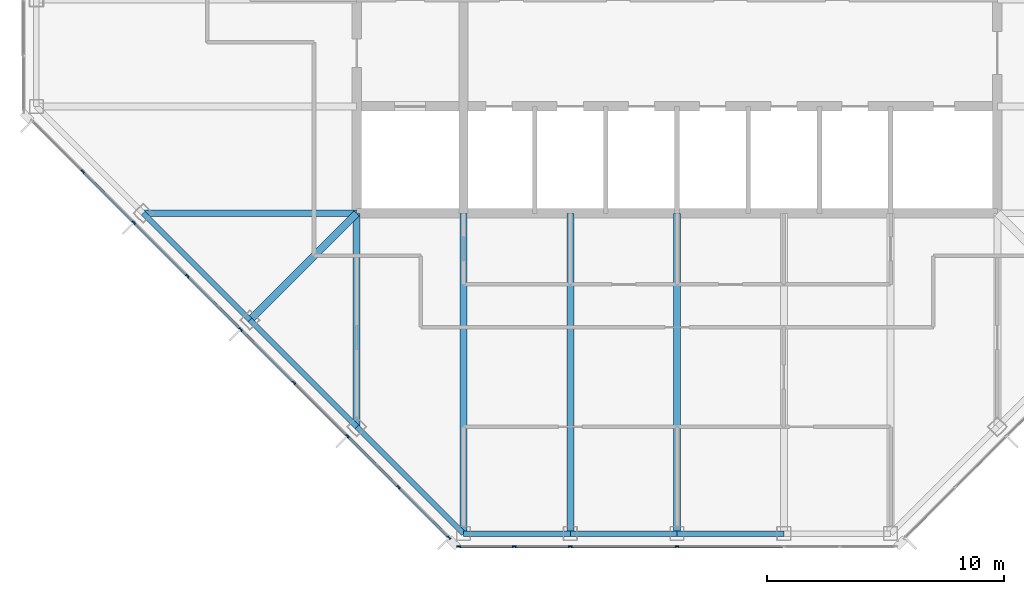
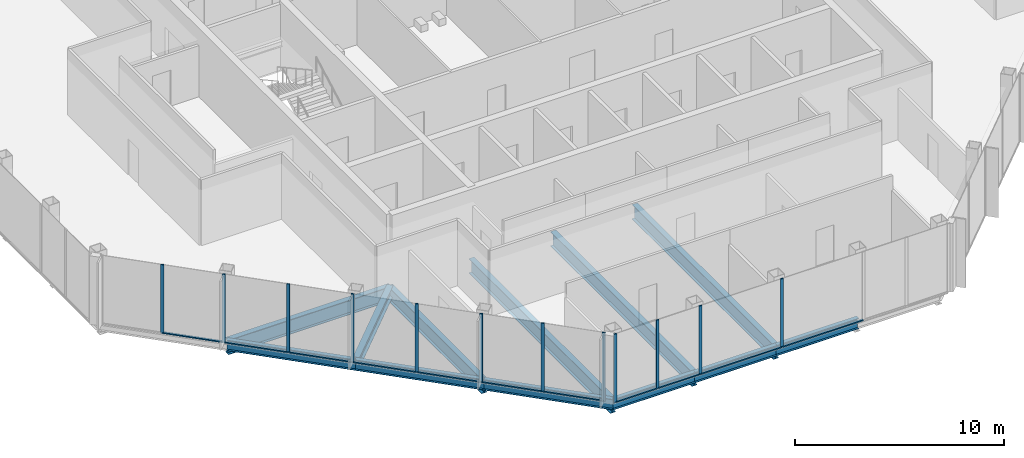
# One storey, part 2 of 14: 23 members, 12 beams, 2 elements without a shape of their own.
"""IFC4 building model written with IfcOpenShell, lengths in metres."""

from ifc_helpers import new_model, si_unit, direction, frame, origin, origin_2d, place, context, subcontext, project, spatial, rectangle, i_section, extrude, material, material_profile, profile_set, type_object, element, aggregate, save


model = new_model("IFC4")

# Units and contexts
model_context = context("Model", 3, precision=1e-05, world=origin(), true_north=direction((0.0, 1.0)))
body_context = subcontext(model_context, "Body", "Model", "MODEL_VIEW")
ifc_project = project(units=[si_unit("LENGTHUNIT", "METRE"), si_unit("AREAUNIT", "SQUARE_METRE"), si_unit("VOLUMEUNIT", "CUBIC_METRE"), si_unit("PLANEANGLEUNIT", "RADIAN"), si_unit("MASSUNIT", "GRAM", prefix="KILO")], contexts=[model_context])

# Site, building, storey
site_placement = place(None, origin())
site = spatial("IfcSite", under=ifc_project, at=site_placement, CompositionType="ELEMENT")
building_placement = place(site_placement, origin())
building = spatial("IfcBuilding", under=site, at=building_placement, Name="Corais Broadcast Tower", CompositionType="ELEMENT")
storey_placement = place(building_placement, frame((0.0, 0.0, 278.60009765625)))
storey = spatial("IfcBuildingStorey", under=building, at=storey_placement, Name="L65", CompositionType="ELEMENT", Elevation=278.60009765625)

# Beams
ifc_material_1 = material(Name="Steel ASTM A572 Grade 50", Category="steel")
ifc_material_profile_1 = material_profile(ifc_material_1, i_section(OverallWidth=0.323974609375, OverallDepth=0.611083984375, WebThickness=0.0126953125, FlangeThickness=0.01904296875, at=origin_2d()), Name="W610x155")
ifc_profile_set_1 = profile_set([ifc_material_profile_1], Name="Steel ASTM A572 Grade 50")
beam_type_1 = type_object("IfcBeamType", Name="Corner diagonal W610x155", PredefinedType="BEAM", material=ifc_profile_set_1)
beam_1_placement = place(storey_placement, frame((9.0, 9.0, -0.465576171875), z_axis=(0.707106781187, 0.707106781187, 0.0), x_axis=(-0.707106781187, 0.707106781187, 0.0)))
element("IfcBeam", 1, at=beam_1_placement, inside=storey, type_object=beam_type_1, Name="B6 C/5 to D/6", PredefinedType="BEAM", context=body_context, shape_type="SweptSolid", body=[
    extrude(i_section(OverallWidth=0.323974609375, OverallDepth=0.611083984375, WebThickness=0.0126953125, FlangeThickness=0.01904296875, at=origin_2d()), origin(), (0.0, 0.0, 1.0), 6.364013671875),
])
ifc_material_2 = material(Name="Steel ASTM A572 Grade 50", Category="steel")
ifc_material_profile_2 = material_profile(ifc_material_2, i_section(OverallWidth=0.2939453125, OverallDepth=0.85107421875, WebThickness=0.01611328125, FlangeThickness=0.02685546875, at=origin_2d()), Name="W840x226")
ifc_profile_set_2 = profile_set([ifc_material_profile_2], Name="Steel ASTM A572 Grade 50")
beam_type_2 = type_object("IfcBeamType", Name="Floor beam W840x226", PredefinedType="BEAM", material=ifc_profile_set_2)
beam_2_placement = place(storey_placement, frame((13.5, 4.5, -0.585693359375), z_axis=(0.0, 1.0, 0.0), x_axis=(-1.0, 0.0, 0.0)))
element("IfcBeam", 2, at=beam_2_placement, inside=storey, type_object=beam_type_2, Name="B1 B/6 to D/6", PredefinedType="BEAM", context=body_context, shape_type="SweptSolid", body=[
    extrude(i_section(OverallWidth=0.2939453125, OverallDepth=0.85107421875, WebThickness=0.01611328125, FlangeThickness=0.02685546875, at=origin_2d()), origin(), (0.0, 0.0, 1.0), 9.0),
])
for number, where, z_axis, x_axis, name in (
    (3, (18.0, 0.0, -0.585693359375), (0.0, 1.0, 0.0), (-1.0, 0.0, 0.0), "B1 A/7 to D/7"),
    (4, (22.5, 0.0, -0.585693359375), (0.0, 1.0, 0.0), (-1.0, 0.0, 0.0), "B1 A/8 to D/8"),
    (5, (27.0, 0.0, -0.585693359375), (0.0, 1.0, 0.0), (-1.0, 0.0, 0.0), "B1 A/9 to D/9"),
):
    element("IfcBeam", number, at=place(storey_placement, frame(where, z_axis=z_axis, x_axis=x_axis)), inside=storey, type_object=beam_type_2, Name=name, PredefinedType="BEAM", context=body_context, shape_type="SweptSolid", body=[
        extrude(i_section(OverallWidth=0.2939453125, OverallDepth=0.85107421875, WebThickness=0.01611328125, FlangeThickness=0.02685546875, at=origin_2d()), origin(), (0.0, 0.0, 1.0), 13.5),
    ])
beam_3_placement = place(storey_placement, frame((4.5, 13.5, -0.585693359375), z_axis=(1.0, 0.0, 0.0), x_axis=(0.0, 1.0, 0.0)))
element("IfcBeam", 6, at=beam_3_placement, inside=storey, type_object=beam_type_2, Name="B1 D/4 to D/6", PredefinedType="BEAM", context=body_context, shape_type="SweptSolid", body=[
    extrude(i_section(OverallWidth=0.2939453125, OverallDepth=0.85107421875, WebThickness=0.01611328125, FlangeThickness=0.02685546875, at=origin_2d()), origin(), (0.0, 0.0, 1.0), 9.0),
])

# Curtain wall, members
ifc_material_3 = material(Name="Aluminium and glass", Category="aluminium")
curtain_wall_type = type_object("IfcCurtainWallType", Name="Unitised fritted curtain wall CW3", PredefinedType="NOTDEFINED", material=ifc_material_3)
curtain_wall_1_placement = place(storey_placement, origin())
curtain_wall_1 = element("IfcCurtainWall", 7, at=curtain_wall_1_placement, inside=storey, type_object=curtain_wall_type, Name="CW3 curtain wall L65 1", PredefinedType="NOTDEFINED")
ifc_material_4 = material(Name="Aluminium 6063-T6", Category="aluminium")
ifc_material_profile_3 = material_profile(ifc_material_4, rectangle(XDim=0.06494140625, YDim=0.159912109375, at=origin_2d()), Name="Mullion CW3 65x160")
ifc_profile_set_3 = profile_set([ifc_material_profile_3], Name="Aluminium 6063-T6")
member_type_1 = type_object("IfcMemberType", Name="Mullion CW3 65x160", PredefinedType="MULLION", material=ifc_profile_set_3)
member_1_placement = place(storey_placement, frame((17.3955078125, -0.17333984375, 0.0), z_axis=(0.0, 0.0, 1.0), x_axis=(-0.707106781187, -0.707106781187, 0.0)))
member_1 = element("IfcMember", 8, at=member_1_placement, type_object=member_type_1, Name="CW3 mullion 1", PredefinedType="MULLION", context=body_context, shape_type="SweptSolid", body=[
    extrude(rectangle(XDim=0.06494140625, YDim=0.159912109375, at=origin_2d()), origin(), (0.0, 0.0, 1.0), 4.0),
])
member_2_placement = place(storey_placement, frame((15.264892578125, 1.957275390625, 0.0), z_axis=(0.0, 0.0, 1.0), x_axis=(-0.707106781187, -0.707106781187, 0.0)))
member_2 = element("IfcMember", 9, at=member_2_placement, type_object=member_type_1, Name="CW3 mullion 2", PredefinedType="MULLION", context=body_context, shape_type="SweptSolid", body=[
    extrude(rectangle(XDim=0.06494140625, YDim=0.159912109375, at=origin_2d()), origin(), (0.0, 0.0, 1.0), 4.0),
])
member_3_placement = place(storey_placement, frame((13.111083984375, 4.111083984375, 0.0), z_axis=(0.0, 0.0, 1.0), x_axis=(-0.707106781187, -0.707106781187, 0.0)))
member_3 = element("IfcMember", 10, at=member_3_placement, type_object=member_type_1, Name="CW3 mullion 3", PredefinedType="MULLION", context=body_context, shape_type="SweptSolid", body=[
    extrude(rectangle(XDim=0.06494140625, YDim=0.159912109375, at=origin_2d()), origin(), (0.0, 0.0, 1.0), 4.0),
])
member_4_placement = place(storey_placement, frame((10.861083984375, 6.361083984375, 0.0), z_axis=(0.0, 0.0, 1.0), x_axis=(-0.707106781187, -0.707106781187, 0.0)))
member_4 = element("IfcMember", 11, at=member_4_placement, type_object=member_type_1, Name="CW3 mullion 4", PredefinedType="MULLION", context=body_context, shape_type="SweptSolid", body=[
    extrude(rectangle(XDim=0.06494140625, YDim=0.159912109375, at=origin_2d()), origin(), (0.0, 0.0, 1.0), 4.0),
])
member_5_placement = place(storey_placement, frame((8.611083984375, 8.611083984375, 0.0), z_axis=(0.0, 0.0, 1.0), x_axis=(-0.707106781187, -0.707106781187, 0.0)))
member_5 = element("IfcMember", 12, at=member_5_placement, type_object=member_type_1, Name="CW3 mullion 5", PredefinedType="MULLION", context=body_context, shape_type="SweptSolid", body=[
    extrude(rectangle(XDim=0.06494140625, YDim=0.159912109375, at=origin_2d()), origin(), (0.0, 0.0, 1.0), 4.0),
])
member_6_placement = place(storey_placement, frame((6.361083984375, 10.861083984375, 0.0), z_axis=(0.0, 0.0, 1.0), x_axis=(-0.707106781187, -0.707106781187, 0.0)))
member_6 = element("IfcMember", 13, at=member_6_placement, type_object=member_type_1, Name="CW3 mullion 6", PredefinedType="MULLION", context=body_context, shape_type="SweptSolid", body=[
    extrude(rectangle(XDim=0.06494140625, YDim=0.159912109375, at=origin_2d()), origin(), (0.0, 0.0, 1.0), 4.0),
])
member_7_placement = place(storey_placement, frame((4.111083984375, 13.111083984375, 0.0), z_axis=(0.0, 0.0, 1.0), x_axis=(-0.707106781187, -0.707106781187, 0.0)))
member_7 = element("IfcMember", 14, at=member_7_placement, type_object=member_type_1, Name="CW3 mullion 7", PredefinedType="MULLION", context=body_context, shape_type="SweptSolid", body=[
    extrude(rectangle(XDim=0.06494140625, YDim=0.159912109375, at=origin_2d()), origin(), (0.0, 0.0, 1.0), 4.0),
])
member_8_placement = place(storey_placement, frame((1.957275390625, 15.264892578125, 0.0), z_axis=(0.0, 0.0, 1.0), x_axis=(-0.707106781187, -0.707106781187, 0.0)))
member_8 = element("IfcMember", 15, at=member_8_placement, type_object=member_type_1, Name="CW3 mullion 8", PredefinedType="MULLION", context=body_context, shape_type="SweptSolid", body=[
    extrude(rectangle(XDim=0.06494140625, YDim=0.159912109375, at=origin_2d()), origin(), (0.0, 0.0, 1.0), 4.0),
])

curtain_wall_2_placement = place(storey_placement, origin())
curtain_wall_2 = element("IfcCurtainWall", 16, at=curtain_wall_2_placement, inside=storey, type_object=curtain_wall_type, Name="CW3 curtain wall L65 8", PredefinedType="NOTDEFINED")
member_9_placement = place(storey_placement, frame((27.0, -0.550048828125, 0.0), z_axis=(0.0, 0.0, 1.0), x_axis=(0.0, -1.0, 0.0)))
member_9 = element("IfcMember", 17, at=member_9_placement, type_object=member_type_1, Name="CW3 mullion 4", PredefinedType="MULLION", context=body_context, shape_type="SweptSolid", body=[
    extrude(rectangle(XDim=0.06494140625, YDim=0.159912109375, at=origin_2d()), origin(), (0.0, 0.0, 1.0), 4.0),
])
member_10_placement = place(storey_placement, frame((22.5, -0.550048828125, 0.0), z_axis=(0.0, 0.0, 1.0), x_axis=(0.0, -1.0, 0.0)))
member_10 = element("IfcMember", 18, at=member_10_placement, type_object=member_type_1, Name="CW3 mullion 5", PredefinedType="MULLION", context=body_context, shape_type="SweptSolid", body=[
    extrude(rectangle(XDim=0.06494140625, YDim=0.159912109375, at=origin_2d()), origin(), (0.0, 0.0, 1.0), 4.0),
])
member_11_placement = place(storey_placement, frame((20.135986328125, -0.550048828125, 0.0), z_axis=(0.0, 0.0, 1.0), x_axis=(0.0, -1.0, 0.0)))
member_11 = element("IfcMember", 19, at=member_11_placement, type_object=member_type_1, Name="CW3 mullion 6", PredefinedType="MULLION", context=body_context, shape_type="SweptSolid", body=[
    extrude(rectangle(XDim=0.06494140625, YDim=0.159912109375, at=origin_2d()), origin(), (0.0, 0.0, 1.0), 4.0),
])
member_12_placement = place(storey_placement, frame((17.8046875, -0.550048828125, 0.0), z_axis=(0.0, 0.0, 1.0), x_axis=(0.0, -1.0, 0.0)))
member_12 = element("IfcMember", 20, at=member_12_placement, type_object=member_type_1, Name="CW3 mullion 7", PredefinedType="MULLION", context=body_context, shape_type="SweptSolid", body=[
    extrude(rectangle(XDim=0.06494140625, YDim=0.159912109375, at=origin_2d()), origin(), (0.0, 0.0, 1.0), 4.0),
])

# Beams
ifc_material_5 = material(Name="Steel ASTM A572 Grade 50", Category="steel")
ifc_material_profile_4 = material_profile(ifc_material_5, i_section(OverallWidth=0.22998046875, OverallDepth=0.616943359375, WebThickness=0.01318359375, FlangeThickness=0.022216796875, at=origin_2d()), Name="W610x140")
ifc_profile_set_4 = profile_set([ifc_material_profile_4], Name="Steel ASTM A572 Grade 50")
beam_type_3 = type_object("IfcBeamType", Name="Spandrel W610x140", PredefinedType="BEAM", material=ifc_profile_set_4)
beam_4_placement = place(storey_placement, frame((13.5, 4.5, -0.468505859375), z_axis=(0.707106781187, -0.707106781187, 0.0), x_axis=(0.707106781187, 0.707106781187, 0.0)))
element("IfcBeam", 21, at=beam_4_placement, inside=storey, type_object=beam_type_3, Name="SB3 B/6 to A/7", PredefinedType="BEAM", context=body_context, shape_type="SweptSolid", body=[
    extrude(i_section(OverallWidth=0.22998046875, OverallDepth=0.616943359375, WebThickness=0.01318359375, FlangeThickness=0.022216796875, at=origin_2d()), origin(), (0.0, 0.0, 1.0), 6.364013671875),
])
for number, where, z_axis, x_axis, name in (
    (22, (18.0, 0.0, -0.468505859375), (1.0, 0.0, 0.0), (0.0, 1.0, 0.0), "SB3 A/7 to A/8"),
    (23, (22.5, 0.0, -0.468505859375), (1.0, 0.0, 0.0), (0.0, 1.0, 0.0), "SB3 A/8 to A/9"),
    (24, (27.0, 0.0, -0.468505859375), (1.0, 0.0, 0.0), (0.0, 1.0, 0.0), "SB3 A/9 to A/10"),
):
    element("IfcBeam", number, at=place(storey_placement, frame(where, z_axis=z_axis, x_axis=x_axis)), inside=storey, type_object=beam_type_3, Name=name, PredefinedType="BEAM", context=body_context, shape_type="SweptSolid", body=[
        extrude(i_section(OverallWidth=0.22998046875, OverallDepth=0.616943359375, WebThickness=0.01318359375, FlangeThickness=0.022216796875, at=origin_2d()), origin(), (0.0, 0.0, 1.0), 4.5),
    ])
for number, where, z_axis, x_axis, name in (
    (25, (4.5, 13.5, -0.468505859375), (0.707106781187, -0.707106781187, 0.0), (0.707106781187, 0.707106781187, 0.0), "SB3 D/4 to C/5"),
    (26, (9.0, 9.0, -0.468505859375), (0.707106781187, -0.707106781187, 0.0), (0.707106781187, 0.707106781187, 0.0), "SB3 C/5 to B/6"),
):
    element("IfcBeam", number, at=place(storey_placement, frame(where, z_axis=z_axis, x_axis=x_axis)), inside=storey, type_object=beam_type_3, Name=name, PredefinedType="BEAM", context=body_context, shape_type="SweptSolid", body=[
        extrude(i_section(OverallWidth=0.22998046875, OverallDepth=0.616943359375, WebThickness=0.01318359375, FlangeThickness=0.022216796875, at=origin_2d()), origin(), (0.0, 0.0, 1.0), 6.364013671875),
    ])

# Member
ifc_material_6 = material(Name="Aluminium 6063-T6", Category="aluminium")
ifc_material_profile_5 = material_profile(ifc_material_6, rectangle(XDim=0.1201171875, YDim=0.06494140625, at=origin_2d()), Name="Transom CW3 65x120")
ifc_profile_set_5 = profile_set([ifc_material_profile_5], Name="Aluminium 6063-T6")
member_type_2 = type_object("IfcMemberType", Name="Transom CW3 65x120", PredefinedType="USERDEFINED", material=ifc_profile_set_5)
member_13_placement = place(storey_placement, frame((17.37255859375, -0.150390625, 0.032470703125), z_axis=(-0.707106781187, 0.707106781187, 0.0), x_axis=(-0.707106781187, -0.707106781187, 0.0)))
member_13 = element("IfcMember", 27, at=member_13_placement, type_object=member_type_2, Name="CW3 transom 1.1", ObjectType="TRANSOM", PredefinedType="USERDEFINED", context=body_context, shape_type="SweptSolid", body=[
    extrude(rectangle(XDim=0.1201171875, YDim=0.06494140625, at=origin_2d()), origin(), (0.0, 0.0, 1.0), 2.9482421875),
])

member_14_placement = place(storey_placement, frame((15.241943359375, 1.980224609375, 0.032470703125), z_axis=(-0.707106781187, 0.707106781187, 0.0), x_axis=(-0.707106781187, -0.707106781187, 0.0)))
member_14 = element("IfcMember", 28, at=member_14_placement, type_object=member_type_2, Name="CW3 transom 2.1", ObjectType="TRANSOM", PredefinedType="USERDEFINED", context=body_context, shape_type="SweptSolid", body=[
    extrude(rectangle(XDim=0.1201171875, YDim=0.06494140625, at=origin_2d()), origin(), (0.0, 0.0, 1.0), 2.98095703125),
])

member_15_placement = place(storey_placement, frame((13.088134765625, 4.134033203125, 0.032470703125), z_axis=(-0.707106781187, 0.707106781187, 0.0), x_axis=(-0.707106781187, -0.707106781187, 0.0)))
member_15 = element("IfcMember", 29, at=member_15_placement, type_object=member_type_2, Name="CW3 transom 3.1", ObjectType="TRANSOM", PredefinedType="USERDEFINED", context=body_context, shape_type="SweptSolid", body=[
    extrude(rectangle(XDim=0.1201171875, YDim=0.06494140625, at=origin_2d()), origin(), (0.0, 0.0, 1.0), 3.1171875),
])

member_16_placement = place(storey_placement, frame((10.838134765625, 6.384033203125, 0.032470703125), z_axis=(-0.707106781187, 0.707106781187, 0.0), x_axis=(-0.707106781187, -0.707106781187, 0.0)))
member_16 = element("IfcMember", 30, at=member_16_placement, type_object=member_type_2, Name="CW3 transom 4.1", ObjectType="TRANSOM", PredefinedType="USERDEFINED", context=body_context, shape_type="SweptSolid", body=[
    extrude(rectangle(XDim=0.1201171875, YDim=0.06494140625, at=origin_2d()), origin(), (0.0, 0.0, 1.0), 3.1171875),
])

member_17_placement = place(storey_placement, frame((8.588134765625, 8.634033203125, 0.032470703125), z_axis=(-0.707106781187, 0.707106781187, 0.0), x_axis=(-0.707106781187, -0.707106781187, 0.0)))
member_17 = element("IfcMember", 31, at=member_17_placement, type_object=member_type_2, Name="CW3 transom 5.1", ObjectType="TRANSOM", PredefinedType="USERDEFINED", context=body_context, shape_type="SweptSolid", body=[
    extrude(rectangle(XDim=0.1201171875, YDim=0.06494140625, at=origin_2d()), origin(), (0.0, 0.0, 1.0), 3.1171875),
])

member_18_placement = place(storey_placement, frame((6.338134765625, 10.884033203125, 0.032470703125), z_axis=(-0.707106781187, 0.707106781187, 0.0), x_axis=(-0.707106781187, -0.707106781187, 0.0)))
member_18 = element("IfcMember", 32, at=member_18_placement, type_object=member_type_2, Name="CW3 transom 6.1", ObjectType="TRANSOM", PredefinedType="USERDEFINED", context=body_context, shape_type="SweptSolid", body=[
    extrude(rectangle(XDim=0.1201171875, YDim=0.06494140625, at=origin_2d()), origin(), (0.0, 0.0, 1.0), 3.1171875),
])

member_19_placement = place(storey_placement, frame((4.088134765625, 13.134033203125, 0.032470703125), z_axis=(-0.707065828661, 0.70714773134, 0.0), x_axis=(-0.70714773134, -0.707065828661, 0.0)))
member_19 = element("IfcMember", 33, at=member_19_placement, type_object=member_type_2, Name="CW3 transom 7.1", ObjectType="TRANSOM", PredefinedType="USERDEFINED", context=body_context, shape_type="SweptSolid", body=[
    extrude(rectangle(XDim=0.1201171875, YDim=0.06494140625, at=origin_2d()), origin(), (0.0, 0.0, 1.0), 2.98095703125),
])

aggregate(curtain_wall_1, [member_1, member_2, member_3, member_4, member_5, member_6, member_7, member_8, member_13, member_14, member_15, member_16, member_17, member_18, member_19])

member_20_placement = place(storey_placement, frame((31.467529296875, -0.550048828125, 0.032470703125), z_axis=(-1.0, 0.0, 0.0), x_axis=(0.0, -1.0, 0.0)))
member_20 = element("IfcMember", 34, at=member_20_placement, type_object=member_type_2, Name="CW3 transom 3.1", ObjectType="TRANSOM", PredefinedType="USERDEFINED", context=body_context, shape_type="SweptSolid", body=[
    extrude(rectangle(XDim=0.1201171875, YDim=0.06494140625, at=origin_2d()), origin(), (0.0, 0.0, 1.0), 4.43505859375),
])

member_21_placement = place(storey_placement, frame((26.967529296875, -0.550048828125, 0.032470703125), z_axis=(-1.0, 0.0, 0.0), x_axis=(0.0, -1.0, 0.0)))
member_21 = element("IfcMember", 35, at=member_21_placement, type_object=member_type_2, Name="CW3 transom 4.1", ObjectType="TRANSOM", PredefinedType="USERDEFINED", context=body_context, shape_type="SweptSolid", body=[
    extrude(rectangle(XDim=0.1201171875, YDim=0.06494140625, at=origin_2d()), origin(), (0.0, 0.0, 1.0), 4.43505859375),
])

member_22_placement = place(storey_placement, frame((22.467529296875, -0.550048828125, 0.032470703125), z_axis=(-1.0, 0.0, 0.0), x_axis=(0.0, -1.0, 0.0)))
member_22 = element("IfcMember", 36, at=member_22_placement, type_object=member_type_2, Name="CW3 transom 5.1", ObjectType="TRANSOM", PredefinedType="USERDEFINED", context=body_context, shape_type="SweptSolid", body=[
    extrude(rectangle(XDim=0.1201171875, YDim=0.06494140625, at=origin_2d()), origin(), (0.0, 0.0, 1.0), 2.298828125),
])

member_23_placement = place(storey_placement, frame((20.103515625, -0.550048828125, 0.032470703125), z_axis=(-1.0, 0.0, 0.0), x_axis=(0.0, -1.0, 0.0)))
member_23 = element("IfcMember", 37, at=member_23_placement, type_object=member_type_2, Name="CW3 transom 6.1", ObjectType="TRANSOM", PredefinedType="USERDEFINED", context=body_context, shape_type="SweptSolid", body=[
    extrude(rectangle(XDim=0.1201171875, YDim=0.06494140625, at=origin_2d()), origin(), (0.0, 0.0, 1.0), 2.266357421875),
])

aggregate(curtain_wall_2, [member_9, member_10, member_11, member_12, member_20, member_21, member_22, member_23])

save(model, "model.ifc")
